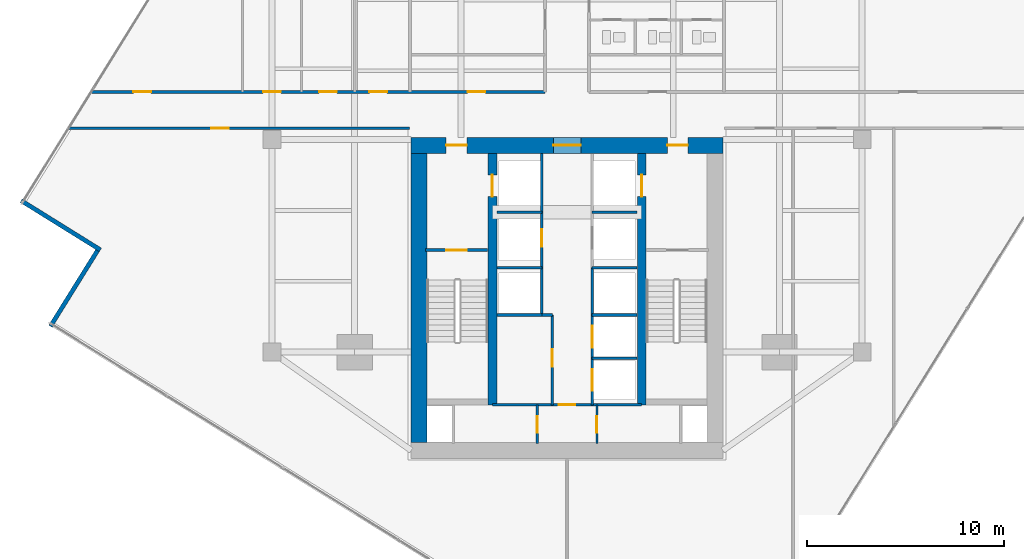
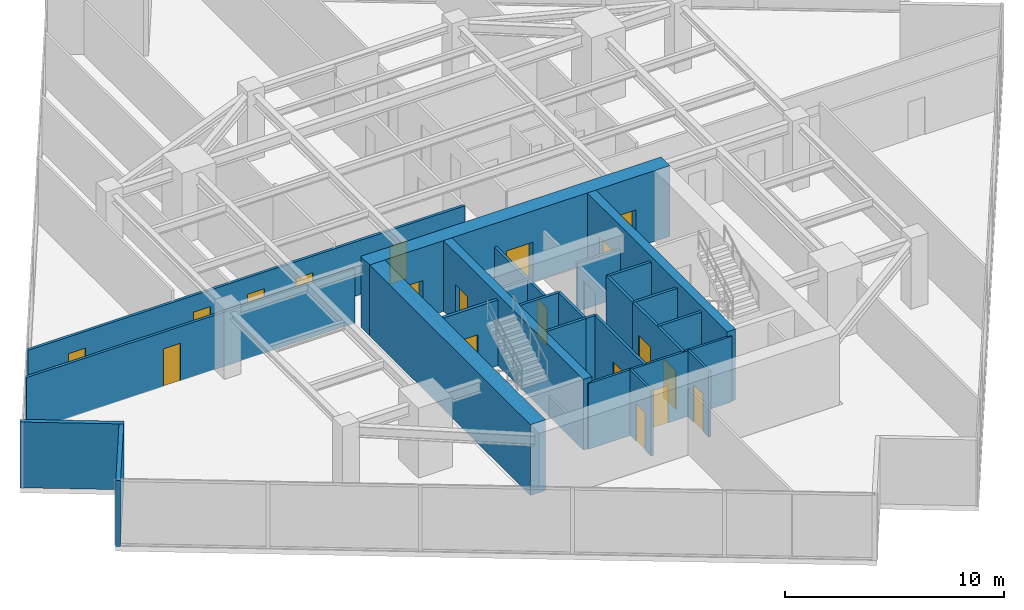
# One storey, part 21 of 26: 25 walls, 19 doors, 19 openings.
"""IFC4 building model written with IfcOpenShell, lengths in metres."""

from ifc_helpers import new_model, si_unit, direction, frame, frame_2d, origin, place, context, subcontext, project, spatial, rectangle, extrude, material, layer, layer_set, type_object, element, fill, save


model = new_model("IFC4")

# Units and contexts
model_context = context("Model", 3, precision=1e-05, world=origin(), true_north=direction((0.0, 1.0)))
body_context = subcontext(model_context, "Body", "Model", "MODEL_VIEW")
ifc_project = project(units=[si_unit("LENGTHUNIT", "METRE"), si_unit("AREAUNIT", "SQUARE_METRE"), si_unit("VOLUMEUNIT", "CUBIC_METRE"), si_unit("PLANEANGLEUNIT", "RADIAN"), si_unit("MASSUNIT", "GRAM", prefix="KILO")], contexts=[model_context])

# Site, building, storey
site_placement = place(None, origin())
site = spatial("IfcSite", under=ifc_project, at=site_placement, CompositionType="ELEMENT")
building_placement = place(site_placement, origin())
building = spatial("IfcBuilding", under=site, at=building_placement, Name="Krantzveldt Concourse Tower", CompositionType="ELEMENT")
storey_placement = place(building_placement, frame((0.0, 0.0, 173.85009765625)))
storey = spatial("IfcBuildingStorey", under=building, at=storey_placement, Name="L42", CompositionType="ELEMENT", Elevation=173.85009765625)

# Walls
ifc_material_1 = material(Name="Anodised aluminium 6063-T6", Category="aluminium")
ifc_layer_1 = layer(ifc_material_1, 0.219970703125, Name="Anodised aluminium 6063-T6", Category="aluminium")
ifc_layer_set_1 = layer_set([ifc_layer_1], Name="Anodised aluminium 6063-T6 (WL-EXT-NOTCH220)")
wall_type_1 = type_object("IfcWallType", Name="WL-EXT-NOTCH220", PredefinedType="ELEMENTEDWALL", material=ifc_layer_set_1)
wall_1_placement = place(storey_placement, frame((8.2509765625, 23.59521484375, 0.0), z_axis=(0.0, 0.0, 1.0), x_axis=(0.84921299194, -0.528050465694, 0.0)))
element("IfcWall", 1, at=wall_1_placement, inside=storey, type_object=wall_type_1, Name="EW-L42-NCH02", PredefinedType="ELEMENTEDWALL", context=body_context, shape_type="SweptSolid", body=[
    extrude(rectangle(XDim=4.7451171875, YDim=0.219970703125, at=frame_2d((2.37255859375, 0.0))), origin(), (0.0, 0.0, 1.0), 3.669921875),
])
wall_2_placement = place(storey_placement, frame((12.12890625, 21.05419921875, 0.0), z_axis=(0.0, 0.0, 1.0), x_axis=(-0.528038242514, -0.849220592333, 0.0)))
element("IfcWall", 2, at=wall_2_placement, inside=storey, type_object=wall_type_1, Name="EW-L42-NCH03", PredefinedType="ELEMENTEDWALL", context=body_context, shape_type="SweptSolid", body=[
    extrude(rectangle(XDim=4.525146484375, YDim=0.219970703125, at=frame_2d((2.2626953125, 0.0))), origin(), (0.0, 0.0, 1.0), 3.669921875),
])

# Wall, opening, door
ifc_material_2 = material(Name="Fire-rated gypsum plasterboard on steel stud", Category="steel")
ifc_layer_2 = layer(ifc_material_2, 0.1201171875, Name="Fire-rated gypsum plasterboard on steel stud", Category="steel")
ifc_layer_set_2 = layer_set([ifc_layer_2], Name="Fire-rated gypsum plasterboard on steel stud (WL-PART-120)")
wall_type_2 = type_object("IfcWallType", Name="WL-PART-120", PredefinedType="PARTITIONING", material=ifc_layer_set_2)
wall_3_placement = place(storey_placement, frame((32.2099609375, 13.219970703125, 0.0), z_axis=(0.0, 0.0, 1.0), x_axis=(1.0, 0.0, 0.0)))
wall_3 = element("IfcWall", 3, at=wall_3_placement, inside=storey, type_object=wall_type_2, Name="WP-L42-CS2H", PredefinedType="PARTITIONING", context=body_context, shape_type="SweptSolid", body=[
    extrude(rectangle(XDim=7.580078125, YDim=0.1201171875, at=frame_2d((3.7900390625, 0.0))), origin(), (0.0, 0.0, 1.0), 3.669921875),
])
opening_1_placement = place(wall_3_placement, frame((3.364990234375, 0.0, 0.0)))
opening_1 = element("IfcOpeningElement", 4, at=opening_1_placement, cuts=wall_3, Name="Opening D-IN085", PredefinedType="OPENING", context=body_context, shape_type="SweptSolid", body=[
    extrude(rectangle(XDim=0.85009765625, YDim=2.10009765625, at=frame_2d((0.425048828125, 1.050048828125))), frame((0.0, 0.070068359375, 0.0), z_axis=(0.0, -1.0, 0.0), x_axis=(1.0, 0.0, 0.0)), (0.0, 0.0, 1.0), 0.14013671875),
])
ifc_material_3 = material(Name="Hardwood timber", Category="wood")
door_type_1 = type_object("IfcDoorType", Name="DR-INT-850", OperationType="SINGLE_SWING_LEFT", PredefinedType="DOOR", material=ifc_material_3)
door_1_placement = place(opening_1_placement, origin())
door_1 = element("IfcDoor", 5, at=door_1_placement, inside=storey, type_object=door_type_1, Name="DR-L42-LLBS", OperationType="SINGLE_SWING_RIGHT", OverallHeight=2.10009765625, OverallWidth=0.85009765625, PredefinedType="DOOR", context=body_context, shape_type="SweptSolid", body=[
    extrude(rectangle(XDim=0.85009765625, YDim=2.10009765625, at=frame_2d((0.425048828125, 1.050048828125))), frame((0.0, 0.02490234375, 0.0), z_axis=(0.0, -1.0, 0.0), x_axis=(1.0, 0.0, 0.0)), (0.0, 0.0, 1.0), 0.050048828125),
])
fill(opening_1, door_1)

wall_4_placement = place(storey_placement, frame((34.47998046875, 11.25, 0.0), z_axis=(0.0, 0.0, 1.0), x_axis=(0.0, 1.0, 0.0)))
wall_4 = element("IfcWall", 6, at=wall_4_placement, inside=storey, type_object=wall_type_2, Name="WP-L42-CSB-VL", PredefinedType="PARTITIONING", context=body_context, shape_type="SweptSolid", body=[
    extrude(rectangle(XDim=1.969970703125, YDim=0.1201171875, at=frame_2d((0.98486328125, 0.0))), origin(), (0.0, 0.0, 1.0), 3.669921875),
])
opening_2_placement = place(wall_4_placement, frame((0.544921875, 0.0, 0.0)))
opening_2 = element("IfcOpeningElement", 7, at=opening_2_placement, cuts=wall_4, Name="Opening D-IN085", PredefinedType="OPENING", context=body_context, shape_type="SweptSolid", body=[
    extrude(rectangle(XDim=0.85009765625, YDim=2.10009765625, at=frame_2d((0.425048828125, 1.050048828125))), frame((0.0, 0.070068359375, 0.0), z_axis=(0.0, -1.0, 0.0), x_axis=(1.0, 0.0, 0.0)), (0.0, 0.0, 1.0), 0.14013671875),
])
door_2_placement = place(opening_2_placement, origin())
door_2 = element("IfcDoor", 8, at=door_2_placement, inside=storey, type_object=door_type_1, Name="DR-L42-CSB1", OperationType="SINGLE_SWING_LEFT", OverallHeight=2.10009765625, OverallWidth=0.85009765625, PredefinedType="DOOR", context=body_context, shape_type="SweptSolid", body=[
    extrude(rectangle(XDim=0.85009765625, YDim=2.10009765625, at=frame_2d((0.425048828125, 1.050048828125))), frame((0.0, 0.02490234375, 0.0), z_axis=(0.0, -1.0, 0.0), x_axis=(1.0, 0.0, 0.0)), (0.0, 0.0, 1.0), 0.050048828125),
])
fill(opening_2, door_2)

wall_5_placement = place(storey_placement, frame((37.52001953125, 11.25, 0.0), z_axis=(0.0, 0.0, 1.0), x_axis=(0.0, 1.0, 0.0)))
wall_5 = element("IfcWall", 9, at=wall_5_placement, inside=storey, type_object=wall_type_2, Name="WP-L42-CSB-VR", PredefinedType="PARTITIONING", context=body_context, shape_type="SweptSolid", body=[
    extrude(rectangle(XDim=1.969970703125, YDim=0.1201171875, at=frame_2d((0.98486328125, 0.0))), origin(), (0.0, 0.0, 1.0), 3.669921875),
])
opening_3_placement = place(wall_5_placement, frame((0.544921875, 0.0, 0.0)))
opening_3 = element("IfcOpeningElement", 10, at=opening_3_placement, cuts=wall_5, Name="Opening D-IN085", PredefinedType="OPENING", context=body_context, shape_type="SweptSolid", body=[
    extrude(rectangle(XDim=0.85009765625, YDim=2.10009765625, at=frame_2d((0.425048828125, 1.050048828125))), frame((0.0, 0.070068359375, 0.0), z_axis=(0.0, -1.0, 0.0), x_axis=(1.0, 0.0, 0.0)), (0.0, 0.0, 1.0), 0.14013671875),
])
door_3_placement = place(opening_3_placement, origin())
door_3 = element("IfcDoor", 11, at=door_3_placement, inside=storey, type_object=door_type_1, Name="DR-L42-CSB2", OperationType="SINGLE_SWING_RIGHT", OverallHeight=2.10009765625, OverallWidth=0.85009765625, PredefinedType="DOOR", context=body_context, shape_type="SweptSolid", body=[
    extrude(rectangle(XDim=0.85009765625, YDim=2.10009765625, at=frame_2d((0.425048828125, 1.050048828125))), frame((0.0, 0.02490234375, 0.0), z_axis=(0.0, -1.0, 0.0), x_axis=(1.0, 0.0, 0.0)), (0.0, 0.0, 1.0), 0.050048828125),
])
fill(opening_3, door_3)

# Wall, openings, doors
ifc_layer_3 = layer(ifc_material_2, 0.139892578125, Name="Fire-rated gypsum plasterboard on steel stud", Category="steel")
ifc_layer_set_3 = layer_set([ifc_layer_3], Name="Fire-rated gypsum plasterboard on steel stud (WL-PART-140)")
wall_type_3 = type_object("IfcWallType", Name="WL-PART-140", PredefinedType="PARTITIONING", material=ifc_layer_set_3)
wall_6_placement = place(storey_placement, frame((11.822021484375, 29.1201171875, 0.0), z_axis=(0.0, 0.0, 1.0), x_axis=(1.0, 0.0, 0.0)))
wall_6 = element("IfcWall", 12, at=wall_6_placement, inside=storey, type_object=wall_type_3, Name="WP-L42-EWNL", PredefinedType="PARTITIONING", context=body_context, shape_type="SweptSolid", body=[
    extrude(rectangle(XDim=23.057861328125, YDim=0.139892578125, at=frame_2d((11.52880859375, 0.0))), origin(), (0.0, 0.0, 1.0), 3.02978515625),
])
opening_4_placement = place(wall_6_placement, frame((19.128173828125, 0.0, 0.0)))
opening_4 = element("IfcOpeningElement", 13, at=opening_4_placement, cuts=wall_6, Name="Opening D-IN090", PredefinedType="OPENING", context=body_context, shape_type="SweptSolid", body=[
    extrude(rectangle(XDim=0.89990234375, YDim=2.10009765625, at=frame_2d((0.449951171875, 1.050048828125))), frame((0.0, 0.080078125, 0.0), z_axis=(0.0, -1.0, 0.0), x_axis=(1.0, 0.0, 0.0)), (0.0, 0.0, 1.0), 0.159912109375),
])
opening_5_placement = place(wall_6_placement, frame((2.13720703125, 0.0, 0.0)))
opening_5 = element("IfcOpeningElement", 14, at=opening_5_placement, cuts=wall_6, Name="Opening D-IN090", PredefinedType="OPENING", context=body_context, shape_type="SweptSolid", body=[
    extrude(rectangle(XDim=0.89990234375, YDim=2.10009765625, at=frame_2d((0.449951171875, 1.050048828125))), frame((0.0, 0.080078125, 0.0), z_axis=(0.0, -1.0, 0.0), x_axis=(1.0, 0.0, 0.0)), (0.0, 0.0, 1.0), 0.159912109375),
])
opening_6_placement = place(wall_6_placement, frame((8.72802734375, 0.0, 0.0)))
opening_6 = element("IfcOpeningElement", 15, at=opening_6_placement, cuts=wall_6, Name="Opening D-IN090", PredefinedType="OPENING", context=body_context, shape_type="SweptSolid", body=[
    extrude(rectangle(XDim=0.89990234375, YDim=2.10009765625, at=frame_2d((0.449951171875, 1.050048828125))), frame((0.0, 0.080078125, 0.0), z_axis=(0.0, -1.0, 0.0), x_axis=(1.0, 0.0, 0.0)), (0.0, 0.0, 1.0), 0.159912109375),
])
opening_7_placement = place(wall_6_placement, frame((11.578125, 0.0, 0.0)))
opening_7 = element("IfcOpeningElement", 16, at=opening_7_placement, cuts=wall_6, Name="Opening D-IN090", PredefinedType="OPENING", context=body_context, shape_type="SweptSolid", body=[
    extrude(rectangle(XDim=0.89990234375, YDim=2.10009765625, at=frame_2d((0.449951171875, 1.050048828125))), frame((0.0, 0.080078125, 0.0), z_axis=(0.0, -1.0, 0.0), x_axis=(1.0, 0.0, 0.0)), (0.0, 0.0, 1.0), 0.159912109375),
])
opening_8_placement = place(wall_6_placement, frame((14.128173828125, 0.0, 0.0)))
opening_8 = element("IfcOpeningElement", 17, at=opening_8_placement, cuts=wall_6, Name="Opening D-IN090", PredefinedType="OPENING", context=body_context, shape_type="SweptSolid", body=[
    extrude(rectangle(XDim=0.89990234375, YDim=2.10009765625, at=frame_2d((0.449951171875, 1.050048828125))), frame((0.0, 0.080078125, 0.0), z_axis=(0.0, -1.0, 0.0), x_axis=(1.0, 0.0, 0.0)), (0.0, 0.0, 1.0), 0.159912109375),
])
door_type_2 = type_object("IfcDoorType", Name="DR-INT-900", OperationType="SINGLE_SWING_LEFT", PredefinedType="DOOR", material=ifc_material_3)
door_4_placement = place(opening_4_placement, origin())
door_4 = element("IfcDoor", 18, at=door_4_placement, inside=storey, type_object=door_type_2, Name="DR-L42-ALCL", OperationType="SINGLE_SWING_LEFT", OverallHeight=2.10009765625, OverallWidth=0.89990234375, PredefinedType="DOOR", context=body_context, shape_type="SweptSolid", body=[
    extrude(rectangle(XDim=0.89990234375, YDim=2.10009765625, at=frame_2d((0.449951171875, 1.050048828125))), frame((0.0, 0.02490234375, 0.0), z_axis=(0.0, -1.0, 0.0), x_axis=(1.0, 0.0, 0.0)), (0.0, 0.0, 1.0), 0.050048828125),
])
fill(opening_4, door_4)
door_5_placement = place(opening_5_placement, origin())
door_5 = element("IfcDoor", 19, at=door_5_placement, inside=storey, type_object=door_type_2, Name="DR-L42-NWX1", OperationType="SINGLE_SWING_LEFT", OverallHeight=2.10009765625, OverallWidth=0.89990234375, PredefinedType="DOOR", context=body_context, shape_type="SweptSolid", body=[
    extrude(rectangle(XDim=0.89990234375, YDim=2.10009765625, at=frame_2d((0.449951171875, 1.050048828125))), frame((0.0, 0.02490234375, 0.0), z_axis=(0.0, -1.0, 0.0), x_axis=(1.0, 0.0, 0.0)), (0.0, 0.0, 1.0), 0.050048828125),
])
fill(opening_5, door_5)
door_6_placement = place(opening_6_placement, origin())
door_6 = element("IfcDoor", 20, at=door_6_placement, inside=storey, type_object=door_type_2, Name="DR-L42-NWX2", OperationType="SINGLE_SWING_LEFT", OverallHeight=2.10009765625, OverallWidth=0.89990234375, PredefinedType="DOOR", context=body_context, shape_type="SweptSolid", body=[
    extrude(rectangle(XDim=0.89990234375, YDim=2.10009765625, at=frame_2d((0.449951171875, 1.050048828125))), frame((0.0, 0.02490234375, 0.0), z_axis=(0.0, -1.0, 0.0), x_axis=(1.0, 0.0, 0.0)), (0.0, 0.0, 1.0), 0.050048828125),
])
fill(opening_6, door_6)
door_7_placement = place(opening_7_placement, origin())
door_7 = element("IfcDoor", 21, at=door_7_placement, inside=storey, type_object=door_type_2, Name="DR-L42-NWX3", OperationType="SINGLE_SWING_LEFT", OverallHeight=2.10009765625, OverallWidth=0.89990234375, PredefinedType="DOOR", context=body_context, shape_type="SweptSolid", body=[
    extrude(rectangle(XDim=0.89990234375, YDim=2.10009765625, at=frame_2d((0.449951171875, 1.050048828125))), frame((0.0, 0.02490234375, 0.0), z_axis=(0.0, -1.0, 0.0), x_axis=(1.0, 0.0, 0.0)), (0.0, 0.0, 1.0), 0.050048828125),
])
fill(opening_7, door_7)
door_8_placement = place(opening_8_placement, origin())
door_8 = element("IfcDoor", 22, at=door_8_placement, inside=storey, type_object=door_type_2, Name="DR-L42-NWX4", OperationType="SINGLE_SWING_LEFT", OverallHeight=2.10009765625, OverallWidth=0.89990234375, PredefinedType="DOOR", context=body_context, shape_type="SweptSolid", body=[
    extrude(rectangle(XDim=0.89990234375, YDim=2.10009765625, at=frame_2d((0.449951171875, 1.050048828125))), frame((0.0, 0.02490234375, 0.0), z_axis=(0.0, -1.0, 0.0), x_axis=(1.0, 0.0, 0.0)), (0.0, 0.0, 1.0), 0.050048828125),
])
fill(opening_8, door_8)

# Wall, opening, door
wall_7_placement = place(storey_placement, frame((10.677734375, 27.280029296875, 0.0), z_axis=(0.0, 0.0, 1.0), x_axis=(1.0, 0.0, 0.0)))
wall_7 = element("IfcWall", 23, at=wall_7_placement, inside=storey, type_object=wall_type_3, Name="WP-L42-EWSL", PredefinedType="PARTITIONING", context=body_context, shape_type="SweptSolid", body=[
    extrude(rectangle(XDim=17.322265625, YDim=0.139892578125, at=frame_2d((8.6611328125, 0.0))), origin(), (0.0, 0.0, 1.0), 3.02978515625),
])
opening_9_placement = place(wall_7_placement, frame((7.231201171875, 0.0, 0.0)))
opening_9 = element("IfcOpeningElement", 24, at=opening_9_placement, cuts=wall_7, Name="Opening D-IN090", PredefinedType="OPENING", context=body_context, shape_type="SweptSolid", body=[
    extrude(rectangle(XDim=0.89990234375, YDim=2.10009765625, at=frame_2d((0.449951171875, 1.050048828125))), frame((0.0, 0.080078125, 0.0), z_axis=(0.0, -1.0, 0.0), x_axis=(1.0, 0.0, 0.0)), (0.0, 0.0, 1.0), 0.159912109375),
])
door_9_placement = place(opening_9_placement, origin())
door_9 = element("IfcDoor", 25, at=door_9_placement, inside=storey, type_object=door_type_2, Name="DR-L42-SWX1", OperationType="SINGLE_SWING_LEFT", OverallHeight=2.10009765625, OverallWidth=0.89990234375, PredefinedType="DOOR", context=body_context, shape_type="SweptSolid", body=[
    extrude(rectangle(XDim=0.89990234375, YDim=2.10009765625, at=frame_2d((0.449951171875, 1.050048828125))), frame((0.0, 0.02490234375, 0.0), z_axis=(0.0, -1.0, 0.0), x_axis=(1.0, 0.0, 0.0)), (0.0, 0.0, 1.0), 0.050048828125),
])
fill(opening_9, door_9)

ifc_layer_4 = layer(ifc_material_2, 0.139892578125, Name="Fire-rated gypsum plasterboard on steel stud", Category="steel")
ifc_layer_set_4 = layer_set([ifc_layer_4], Name="Fire-rated gypsum plasterboard on steel stud (WL-PART-FR140)")
wall_type_4 = type_object("IfcWallType", Name="WL-PART-FR140", PredefinedType="PARTITIONING", material=ifc_layer_set_4)
wall_8_placement = place(storey_placement, frame((34.719970703125, 20.199951171875, 0.0), z_axis=(0.0, 0.0, 1.0), x_axis=(0.0, 1.0, 0.0)))
wall_8 = element("IfcWall", 26, at=wall_8_placement, inside=storey, type_object=wall_type_4, Name="WP-L42-SHNW", PredefinedType="PARTITIONING", context=body_context, shape_type="SweptSolid", body=[
    extrude(rectangle(XDim=5.780029296875, YDim=0.139892578125, at=frame_2d((2.89013671875, 0.0))), origin(), (0.0, 0.0, 1.0), 2.669921875),
])
opening_10_placement = place(wall_8_placement, frame((1.050048828125, 0.0, 0.0)))
opening_10 = element("IfcOpeningElement", 27, at=opening_10_placement, cuts=wall_8, Name="Opening D-FD090", PredefinedType="OPENING", context=body_context, shape_type="SweptSolid", body=[
    extrude(rectangle(XDim=0.89990234375, YDim=2.10009765625, at=frame_2d((0.449951171875, 1.050048828125))), frame((0.0, 0.080078125, 0.0), z_axis=(0.0, -1.0, 0.0), x_axis=(1.0, 0.0, 0.0)), (0.0, 0.0, 1.0), 0.159912109375),
])
door_type_3 = type_object("IfcDoorType", Name="DR-FD60-900", OperationType="SINGLE_SWING_LEFT", PredefinedType="DOOR", material=ifc_material_3)
door_10_placement = place(opening_10_placement, origin())
door_10 = element("IfcDoor", 28, at=door_10_placement, inside=storey, type_object=door_type_3, Name="Electrical Riser Access Door L42", OperationType="SINGLE_SWING_LEFT", OverallHeight=2.10009765625, OverallWidth=0.89990234375, PredefinedType="DOOR", context=body_context, shape_type="SweptSolid", body=[
    extrude(rectangle(XDim=0.89990234375, YDim=2.10009765625, at=frame_2d((0.449951171875, 1.050048828125))), frame((0.0, 0.02490234375, 0.0), z_axis=(0.0, -1.0, 0.0), x_axis=(1.0, 0.0, 0.0)), (0.0, 0.0, 1.0), 0.050048828125),
])
fill(opening_10, door_10)

# Walls
for number, where, z_axis, x_axis, name in (
    (29, (32.449951171875, 23.0, 0.0), (0.0, 0.0, 1.0), (1.0, 0.0, 0.0), "WP-L42-RISH"),
    (30, (37.280029296875, 23.0, 0.0), (0.0, 0.0, 1.0), (1.0, 0.0, 0.0), "WP-L42-GLH"),
):
    element("IfcWall", number, at=place(storey_placement, frame(where, z_axis=z_axis, x_axis=x_axis)), inside=storey, type_object=wall_type_4, Name=name, PredefinedType="PARTITIONING", context=body_context, shape_type="SweptSolid", body=[
        extrude(rectangle(XDim=2.27001953125, YDim=0.139892578125, at=frame_2d((1.135009765625, 0.0))), origin(), (0.0, 0.0, 1.0), 2.669921875),
    ])
for number, where, z_axis, x_axis, name in (
    (31, (34.719970703125, 17.780029296875, 0.0), (0.0, 0.0, 1.0), (0.0, 1.0, 0.0), "WP-L42-SHNW2"),
    (32, (37.280029296875, 17.780029296875, 0.0), (0.0, 0.0, 1.0), (0.0, 1.0, 0.0), "WP-L42-SHNE2"),
):
    element("IfcWall", number, at=place(storey_placement, frame(where, z_axis=z_axis, x_axis=x_axis)), inside=storey, type_object=wall_type_4, Name=name, PredefinedType="PARTITIONING", context=body_context, shape_type="SweptSolid", body=[
        extrude(rectangle(XDim=2.419921875, YDim=0.139892578125, at=frame_2d((1.2099609375, 0.0))), origin(), (0.0, 0.0, 1.0), 3.669921875),
    ])
for number, where, z_axis, x_axis, name in (
    (33, (32.449951171875, 17.780029296875, 0.0), (0.0, 0.0, 1.0), (1.0, 0.0, 0.0), "WP-L42-DIVW2"),
    (34, (32.449951171875, 20.179931640625, 0.0), (0.0, 0.0, 1.0), (1.0, 0.0, 0.0), "WP-L42-DIVW3"),
    (35, (37.280029296875, 17.780029296875, 0.0), (0.0, 0.0, 1.0), (1.0, 0.0, 0.0), "WP-L42-DIVE2"),
    (36, (37.280029296875, 20.179931640625, 0.0), (0.0, 0.0, 1.0), (1.0, 0.0, 0.0), "WP-L42-DIVE3"),
):
    element("IfcWall", number, at=place(storey_placement, frame(where, z_axis=z_axis, x_axis=x_axis)), inside=storey, type_object=wall_type_4, Name=name, PredefinedType="PARTITIONING", context=body_context, shape_type="SweptSolid", body=[
        extrude(rectangle(XDim=2.27001953125, YDim=0.139892578125, at=frame_2d((1.135009765625, 0.0))), origin(), (0.0, 0.0, 1.0), 3.669921875),
    ])

# Wall, opening, door
wall_9_placement = place(storey_placement, frame((35.25, 13.219970703125, 0.0), z_axis=(0.0, 0.0, 1.0), x_axis=(0.0, 1.0, 0.0)))
wall_9 = element("IfcWall", 37, at=wall_9_placement, inside=storey, type_object=wall_type_4, Name="WP-L42-RECW", PredefinedType="PARTITIONING", context=body_context, shape_type="SweptSolid", body=[
    extrude(rectangle(XDim=4.56005859375, YDim=0.139892578125, at=frame_2d((2.280029296875, 0.0))), origin(), (0.0, 0.0, 1.0), 3.669921875),
])
opening_11_placement = place(wall_9_placement, frame((1.929931640625, 0.0, 0.0)))
opening_11 = element("IfcOpeningElement", 38, at=opening_11_placement, cuts=wall_9, Name="Opening D-FD090", PredefinedType="OPENING", context=body_context, shape_type="SweptSolid", body=[
    extrude(rectangle(XDim=0.89990234375, YDim=2.10009765625, at=frame_2d((0.449951171875, 1.050048828125))), frame((0.0, 0.080078125, 0.0), z_axis=(0.0, -1.0, 0.0), x_axis=(1.0, 0.0, 0.0)), (0.0, 0.0, 1.0), 0.159912109375),
])
door_11_placement = place(opening_11_placement, origin())
door_11 = element("IfcDoor", 39, at=door_11_placement, inside=storey, type_object=door_type_3, Name="DR-L42-RECW", OperationType="SINGLE_SWING_LEFT", OverallHeight=2.10009765625, OverallWidth=0.89990234375, PredefinedType="DOOR", context=body_context, shape_type="SweptSolid", body=[
    extrude(rectangle(XDim=0.89990234375, YDim=2.10009765625, at=frame_2d((0.449951171875, 1.050048828125))), frame((0.0, 0.02490234375, 0.0), z_axis=(0.0, -1.0, 0.0), x_axis=(1.0, 0.0, 0.0)), (0.0, 0.0, 1.0), 0.050048828125),
])
fill(opening_11, door_11)

# Wall
wall_10_placement = place(storey_placement, frame((34.719970703125, 17.780029296875, 0.0), z_axis=(0.0, 0.0, 1.0), x_axis=(1.0, 0.0, 0.0)))
element("IfcWall", 40, at=wall_10_placement, inside=storey, type_object=wall_type_4, Name="WP-L42-RECWN", PredefinedType="PARTITIONING", context=body_context, shape_type="SweptSolid", body=[
    extrude(rectangle(XDim=0.530029296875, YDim=0.139892578125, at=frame_2d((0.26513671875, 0.0))), origin(), (0.0, 0.0, 1.0), 3.669921875),
])

# Wall, openings, doors
wall_11_placement = place(storey_placement, frame((37.280029296875, 13.219970703125, 0.0), z_axis=(0.0, 0.0, 1.0), x_axis=(0.0, 1.0, 0.0)))
wall_11 = element("IfcWall", 41, at=wall_11_placement, inside=storey, type_object=wall_type_4, Name="WP-L42-SHSE", PredefinedType="PARTITIONING", context=body_context, shape_type="SweptSolid", body=[
    extrude(rectangle(XDim=4.56005859375, YDim=0.139892578125, at=frame_2d((2.280029296875, 0.0))), origin(), (0.0, 0.0, 1.0), 3.669921875),
])
opening_12_placement = place(wall_11_placement, frame((0.7099609375, 0.0, 0.0)))
opening_12 = element("IfcOpeningElement", 42, at=opening_12_placement, cuts=wall_11, Name="Opening LD", PredefinedType="OPENING", context=body_context, shape_type="SweptSolid", body=[
    extrude(rectangle(XDim=1.10009765625, YDim=2.14990234375, at=frame_2d((0.550048828125, 1.074951171875))), frame((0.0, 0.080078125, 0.0), z_axis=(0.0, -1.0, 0.0), x_axis=(1.0, 0.0, 0.0)), (0.0, 0.0, 1.0), 0.159912109375),
])
opening_13_placement = place(wall_11_placement, frame((2.909912109375, 0.0, 0.0)))
opening_13 = element("IfcOpeningElement", 43, at=opening_13_placement, cuts=wall_11, Name="Opening LD", PredefinedType="OPENING", context=body_context, shape_type="SweptSolid", body=[
    extrude(rectangle(XDim=1.10009765625, YDim=2.14990234375, at=frame_2d((0.550048828125, 1.074951171875))), frame((0.0, 0.080078125, 0.0), z_axis=(0.0, -1.0, 0.0), x_axis=(1.0, 0.0, 0.0)), (0.0, 0.0, 1.0), 0.159912109375),
])
ifc_material_4 = material(Name="Stainless steel 316L", Category="steel")
door_type_4 = type_object("IfcDoorType", Name="DR-SLIDE-LD1100", OperationType="DOUBLE_DOOR_SLIDING", PredefinedType="DOOR", material=ifc_material_4)
door_12_placement = place(opening_12_placement, origin())
door_12 = element("IfcDoor", 44, at=door_12_placement, inside=storey, type_object=door_type_4, Name="LD-L42-PM1", OperationType="DOUBLE_DOOR_SLIDING", OverallHeight=2.14990234375, OverallWidth=1.10009765625, PredefinedType="DOOR", context=body_context, shape_type="SweptSolid", body=[
    extrude(rectangle(XDim=1.10009765625, YDim=2.14990234375, at=frame_2d((0.550048828125, 1.074951171875))), frame((0.0, 0.02490234375, 0.0), z_axis=(0.0, -1.0, 0.0), x_axis=(1.0, 0.0, 0.0)), (0.0, 0.0, 1.0), 0.050048828125),
])
fill(opening_12, door_12)
door_13_placement = place(opening_13_placement, origin())
door_13 = element("IfcDoor", 45, at=door_13_placement, inside=storey, type_object=door_type_4, Name="LD-L42-PM2", OperationType="DOUBLE_DOOR_SLIDING", OverallHeight=2.14990234375, OverallWidth=1.10009765625, PredefinedType="DOOR", context=body_context, shape_type="SweptSolid", body=[
    extrude(rectangle(XDim=1.10009765625, YDim=2.14990234375, at=frame_2d((0.550048828125, 1.074951171875))), frame((0.0, 0.02490234375, 0.0), z_axis=(0.0, -1.0, 0.0), x_axis=(1.0, 0.0, 0.0)), (0.0, 0.0, 1.0), 0.050048828125),
])
fill(opening_13, door_13)

# Wall
wall_12_placement = place(storey_placement, frame((37.280029296875, 15.580078125, 0.0), z_axis=(0.0, 0.0, 1.0), x_axis=(1.0, 0.0, 0.0)))
element("IfcWall", 46, at=wall_12_placement, inside=storey, type_object=wall_type_4, Name="WP-L42-DIVE1", PredefinedType="PARTITIONING", context=body_context, shape_type="SweptSolid", body=[
    extrude(rectangle(XDim=2.27001953125, YDim=0.139892578125, at=frame_2d((1.135009765625, 0.0))), origin(), (0.0, 0.0, 1.0), 3.669921875),
])

# Wall, opening, door
ifc_layer_5 = layer(ifc_material_2, 0.159912109375, Name="Fire-rated gypsum plasterboard on steel stud", Category="steel")
ifc_layer_set_5 = layer_set([ifc_layer_5], Name="Fire-rated gypsum plasterboard on steel stud (WL-PART-FR160)")
wall_type_5 = type_object("IfcWallType", Name="WL-PART-FR160", PredefinedType="PARTITIONING", material=ifc_layer_set_5)
wall_13_placement = place(storey_placement, frame((28.800048828125, 21.080078125, 0.0), z_axis=(0.0, 0.0, 1.0), x_axis=(1.0, 0.0, 0.0)))
wall_13 = element("IfcWall", 47, at=wall_13_placement, inside=storey, type_object=wall_type_5, Name="WP-L42-ST1", PredefinedType="PARTITIONING", context=body_context, shape_type="SweptSolid", body=[
    extrude(rectangle(XDim=3.159912109375, YDim=0.159912109375, at=frame_2d((1.580078125, 0.0))), origin(), (0.0, 0.0, 1.0), 3.669921875),
])
opening_14_placement = place(wall_13_placement, frame((1.054931640625, 0.0, 0.0)))
opening_14 = element("IfcOpeningElement", 48, at=opening_14_placement, cuts=wall_13, Name="Opening D-FD105", PredefinedType="OPENING", context=body_context, shape_type="SweptSolid", body=[
    extrude(rectangle(XDim=1.050048828125, YDim=2.10009765625, at=frame_2d((0.52490234375, 1.050048828125))), frame((0.0, 0.08984375, 0.0), z_axis=(0.0, -1.0, 0.0), x_axis=(1.0, 0.0, 0.0)), (0.0, 0.0, 1.0), 0.179931640625),
])
ifc_material_5 = material(Name="Galvanised steel", Category="steel")
door_type_5 = type_object("IfcDoorType", Name="DR-FD120-1050", OperationType="SINGLE_SWING_LEFT", PredefinedType="DOOR", material=ifc_material_5)
door_14_placement = place(opening_14_placement, origin())
door_14 = element("IfcDoor", 49, at=door_14_placement, inside=storey, type_object=door_type_5, Name="DR-L42-ST1", OperationType="SINGLE_SWING_RIGHT", OverallHeight=2.10009765625, OverallWidth=1.050048828125, PredefinedType="DOOR", context=body_context, shape_type="SweptSolid", body=[
    extrude(rectangle(XDim=1.050048828125, YDim=2.10009765625, at=frame_2d((0.52490234375, 1.050048828125))), frame((0.0, 0.02490234375, 0.0), z_axis=(0.0, -1.0, 0.0), x_axis=(1.0, 0.0, 0.0)), (0.0, 0.0, 1.0), 0.050048828125),
])
fill(opening_14, door_14)

ifc_material_6 = material(Name="Concrete C50/60", Category="concrete")
ifc_layer_6 = layer(ifc_material_6, 0.449951171875, Name="Concrete C50/60", Category="concrete")
ifc_layer_set_6 = layer_set([ifc_layer_6], Name="Concrete C50/60 (WL-SHEAR-450)")
wall_type_6 = type_object("IfcWallType", Name="WL-SHEAR-450", PredefinedType="SHEAR", material=ifc_layer_set_6)
wall_14_placement = place(storey_placement, frame((32.205078125, 13.219970703125, 0.0), z_axis=(0.0, 0.0, 1.0), x_axis=(0.0, 1.0, 0.0)))
wall_14 = element("IfcWall", 50, at=wall_14_placement, inside=storey, type_object=wall_type_6, Name="CW-L42-IW", PredefinedType="SHEAR", context=body_context, shape_type="SweptSolid", body=[
    extrude(rectangle(XDim=12.780029296875, YDim=0.449951171875, at=frame_2d((6.39013671875, 0.0))), origin(), (0.0, 0.0, 1.0), 3.949951171875),
])
opening_15_placement = place(wall_14_placement, frame((10.580078125, 0.0, 0.0)))
opening_15 = element("IfcOpeningElement", 51, at=opening_15_placement, cuts=wall_14, Name="Opening LD", PredefinedType="OPENING", context=body_context, shape_type="SweptSolid", body=[
    extrude(rectangle(XDim=1.10009765625, YDim=2.14990234375, at=frame_2d((0.550048828125, 1.074951171875))), frame((0.0, 0.23486328125, 0.0), z_axis=(0.0, -1.0, 0.0), x_axis=(1.0, 0.0, 0.0)), (0.0, 0.0, 1.0), 0.469970703125),
])
door_15_placement = place(opening_15_placement, origin())
door_15 = element("IfcDoor", 52, at=door_15_placement, inside=storey, type_object=door_type_4, Name="LD-L42-FL1", OperationType="DOUBLE_DOOR_SLIDING", OverallHeight=2.14990234375, OverallWidth=1.10009765625, PredefinedType="DOOR", context=body_context, shape_type="SweptSolid", body=[
    extrude(rectangle(XDim=1.10009765625, YDim=2.14990234375, at=frame_2d((0.550048828125, 1.074951171875))), frame((0.0, 0.02490234375, 0.0), z_axis=(0.0, -1.0, 0.0), x_axis=(1.0, 0.0, 0.0)), (0.0, 0.0, 1.0), 0.050048828125),
])
fill(opening_15, door_15)

wall_15_placement = place(storey_placement, frame((39.794921875, 13.219970703125, 0.0), z_axis=(0.0, 0.0, 1.0), x_axis=(0.0, 1.0, 0.0)))
wall_15 = element("IfcWall", 53, at=wall_15_placement, inside=storey, type_object=wall_type_6, Name="CW-L42-IE", PredefinedType="SHEAR", context=body_context, shape_type="SweptSolid", body=[
    extrude(rectangle(XDim=12.780029296875, YDim=0.449951171875, at=frame_2d((6.39013671875, 0.0))), origin(), (0.0, 0.0, 1.0), 3.949951171875),
])
opening_16_placement = place(wall_15_placement, frame((10.580078125, 0.0, 0.0)))
opening_16 = element("IfcOpeningElement", 54, at=opening_16_placement, cuts=wall_15, Name="Opening LD", PredefinedType="OPENING", context=body_context, shape_type="SweptSolid", body=[
    extrude(rectangle(XDim=1.10009765625, YDim=2.14990234375, at=frame_2d((0.550048828125, 1.074951171875))), frame((0.0, 0.23486328125, 0.0), z_axis=(0.0, -1.0, 0.0), x_axis=(1.0, 0.0, 0.0)), (0.0, 0.0, 1.0), 0.469970703125),
])
door_16_placement = place(opening_16_placement, origin())
door_16 = element("IfcDoor", 55, at=door_16_placement, inside=storey, type_object=door_type_4, Name="LD-L42-FL2", OperationType="DOUBLE_DOOR_SLIDING", OverallHeight=2.14990234375, OverallWidth=1.10009765625, PredefinedType="DOOR", context=body_context, shape_type="SweptSolid", body=[
    extrude(rectangle(XDim=1.10009765625, YDim=2.14990234375, at=frame_2d((0.550048828125, 1.074951171875))), frame((0.0, 0.02490234375, 0.0), z_axis=(0.0, -1.0, 0.0), x_axis=(1.0, 0.0, 0.0)), (0.0, 0.0, 1.0), 0.050048828125),
])
fill(opening_16, door_16)

# Wall, openings, doors
ifc_material_7 = material(Name="Concrete C60/75", Category="concrete")
ifc_layer_7 = layer(ifc_material_7, 0.800048828125, Name="Concrete C60/75", Category="concrete")
ifc_layer_set_7 = layer_set([ifc_layer_7], Name="Concrete C60/75 (WL-SHEAR-800)")
wall_type_7 = type_object("IfcWallType", Name="WL-SHEAR-800", PredefinedType="SHEAR", material=ifc_layer_set_7)
wall_16_placement = place(storey_placement, frame((28.080078125, 26.39990234375, 0.0), z_axis=(0.0, 0.0, 1.0), x_axis=(1.0, 0.0, 0.0)))
wall_16 = element("IfcWall", 56, at=wall_16_placement, inside=storey, type_object=wall_type_7, Name="CW-L42-N", PredefinedType="SHEAR", context=body_context, shape_type="SweptSolid", body=[
    extrude(rectangle(XDim=15.83984375, YDim=0.800048828125, at=frame_2d((7.919921875, 0.0))), origin(), (0.0, 0.0, 1.0), 3.949951171875),
])
opening_17_placement = place(wall_16_placement, frame((7.219970703125, 0.0, 0.0)))
opening_17 = element("IfcOpeningElement", 57, at=opening_17_placement, cuts=wall_16, Name="Opening D-DB140", PredefinedType="OPENING", context=body_context, shape_type="SweptSolid", body=[
    extrude(rectangle(XDim=1.39990234375, YDim=2.199951171875, at=frame_2d((0.699951171875, 1.10009765625))), frame((0.0, 0.41015625, 0.0), z_axis=(0.0, -1.0, 0.0), x_axis=(1.0, 0.0, 0.0)), (0.0, 0.0, 1.0), 0.820068359375),
])
opening_18_placement = place(wall_16_placement, frame((1.77490234375, 0.0, 0.0)))
opening_18 = element("IfcOpeningElement", 58, at=opening_18_placement, cuts=wall_16, Name="Opening D-FD105", PredefinedType="OPENING", context=body_context, shape_type="SweptSolid", body=[
    extrude(rectangle(XDim=1.050048828125, YDim=2.10009765625, at=frame_2d((0.52490234375, 1.050048828125))), frame((0.0, 0.41015625, 0.0), z_axis=(0.0, -1.0, 0.0), x_axis=(1.0, 0.0, 0.0)), (0.0, 0.0, 1.0), 0.820068359375),
])
opening_19_placement = place(wall_16_placement, frame((13.014892578125, 0.0, 0.0)))
opening_19 = element("IfcOpeningElement", 59, at=opening_19_placement, cuts=wall_16, Name="Opening D-FD105", PredefinedType="OPENING", context=body_context, shape_type="SweptSolid", body=[
    extrude(rectangle(XDim=1.050048828125, YDim=2.10009765625, at=frame_2d((0.52490234375, 1.050048828125))), frame((0.0, 0.41015625, 0.0), z_axis=(0.0, -1.0, 0.0), x_axis=(1.0, 0.0, 0.0)), (0.0, 0.0, 1.0), 0.820068359375),
])
door_type_6 = type_object("IfcDoorType", Name="DR-DBL-1400", OperationType="DOUBLE_DOOR_SINGLE_SWING", PredefinedType="DOOR", material=ifc_material_1)
door_17_placement = place(opening_17_placement, origin())
door_17 = element("IfcDoor", 60, at=door_17_placement, inside=storey, type_object=door_type_6, Name="DR-L42-LLB", OperationType="DOUBLE_DOOR_SINGLE_SWING", OverallHeight=2.199951171875, OverallWidth=1.39990234375, PredefinedType="DOOR", context=body_context, shape_type="SweptSolid", body=[
    extrude(rectangle(XDim=1.39990234375, YDim=2.199951171875, at=frame_2d((0.699951171875, 1.10009765625))), frame((0.0, 0.02490234375, 0.0), z_axis=(0.0, -1.0, 0.0), x_axis=(1.0, 0.0, 0.0)), (0.0, 0.0, 1.0), 0.050048828125),
])
fill(opening_17, door_17)
door_18_placement = place(opening_18_placement, origin())
door_18 = element("IfcDoor", 61, at=door_18_placement, inside=storey, type_object=door_type_5, Name="DR-L42-FFL1", OperationType="SINGLE_SWING_LEFT", OverallHeight=2.10009765625, OverallWidth=1.050048828125, PredefinedType="DOOR", context=body_context, shape_type="SweptSolid", body=[
    extrude(rectangle(XDim=1.050048828125, YDim=2.10009765625, at=frame_2d((0.52490234375, 1.050048828125))), frame((0.0, 0.02490234375, 0.0), z_axis=(0.0, -1.0, 0.0), x_axis=(1.0, 0.0, 0.0)), (0.0, 0.0, 1.0), 0.050048828125),
])
fill(opening_18, door_18)
door_19_placement = place(opening_19_placement, origin())
door_19 = element("IfcDoor", 62, at=door_19_placement, inside=storey, type_object=door_type_5, Name="DR-L42-FFL2", OperationType="SINGLE_SWING_RIGHT", OverallHeight=2.10009765625, OverallWidth=1.050048828125, PredefinedType="DOOR", context=body_context, shape_type="SweptSolid", body=[
    extrude(rectangle(XDim=1.050048828125, YDim=2.10009765625, at=frame_2d((0.52490234375, 1.050048828125))), frame((0.0, 0.02490234375, 0.0), z_axis=(0.0, -1.0, 0.0), x_axis=(1.0, 0.0, 0.0)), (0.0, 0.0, 1.0), 0.050048828125),
])
fill(opening_19, door_19)

# Wall
wall_17_placement = place(storey_placement, frame((28.47998046875, 11.300048828125, 0.0), z_axis=(0.0, 0.0, 1.0), x_axis=(0.0, 1.0, 0.0)))
element("IfcWall", 63, at=wall_17_placement, inside=storey, type_object=wall_type_7, Name="CW-L42-W", PredefinedType="SHEAR", context=body_context, shape_type="SweptSolid", body=[
    extrude(rectangle(XDim=14.699951171875, YDim=0.800048828125, at=frame_2d((7.35009765625, 0.0))), origin(), (0.0, 0.0, 1.0), 3.949951171875),
])

save(model, "model.ifc")
